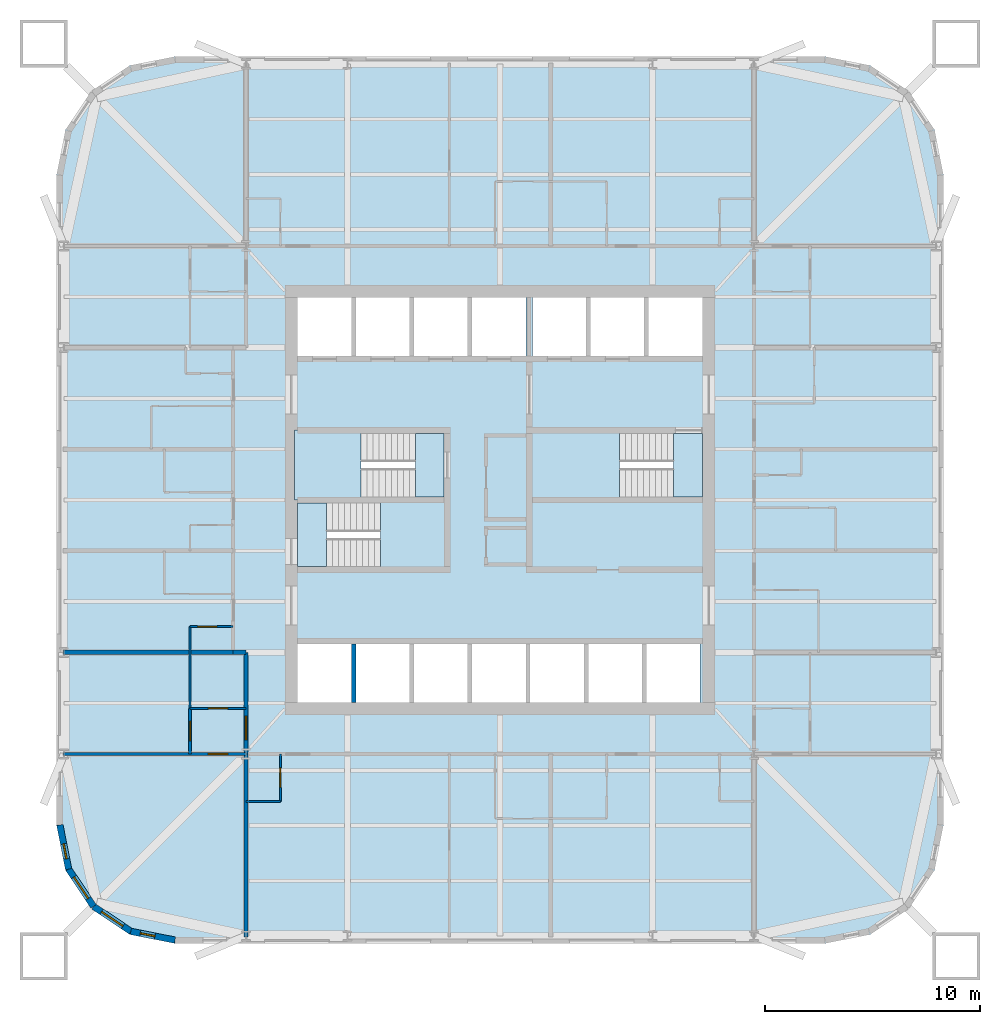
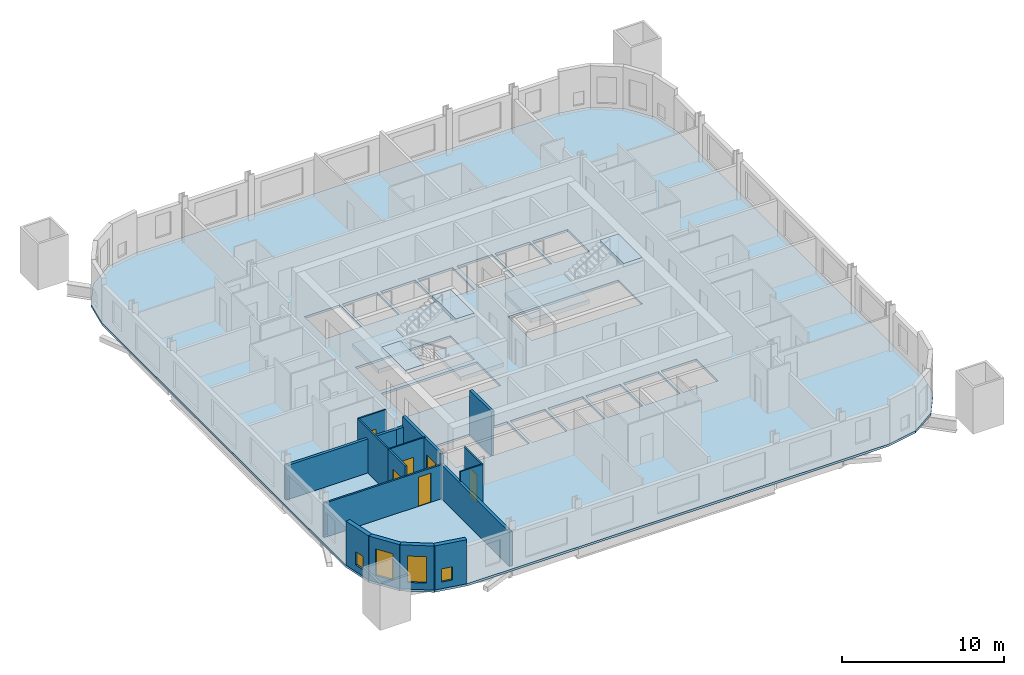
# One storey, part 2 of 9: 16 walls, 7 slabs, 6 doors, 4 windows, 10 openings, 3 elements without a shape of their own.
"""IFC4 building model written with IfcOpenShell, lengths in metres."""

from ifc_helpers import new_model, si_unit, direction, frame, frame_2d, origin, place, context, subcontext, project, spatial, polyline, rectangle, outline, extrude, material, layer, layer_set, type_object, element, fill, aggregate, save


model = new_model("IFC4")

# Units and contexts
model_context = context("Model", 3, precision=1e-05, world=origin(), true_north=direction((0.0, 1.0)))
body_context = subcontext(model_context, "Body", "Model", "MODEL_VIEW")
ifc_project = project(units=[si_unit("LENGTHUNIT", "METRE"), si_unit("AREAUNIT", "SQUARE_METRE"), si_unit("VOLUMEUNIT", "CUBIC_METRE"), si_unit("PLANEANGLEUNIT", "RADIAN"), si_unit("MASSUNIT", "GRAM", prefix="KILO")], contexts=[model_context])

# Site, building, storey
site_placement = place(None, origin())
site = spatial("IfcSite", under=ifc_project, at=site_placement, CompositionType="ELEMENT")
building_placement = place(site_placement, origin())
building = spatial("IfcBuilding", under=site, at=building_placement, Name="Turquesa Mirador Hotel Tower", CompositionType="ELEMENT")
storey_placement = place(building_placement, frame((0.0, 0.0, 145.89990234375)))
storey = spatial("IfcBuildingStorey", under=building, at=storey_placement, Name="L39", CompositionType="ELEMENT", Elevation=145.89990234375)

# Slab
ifc_material_1 = material(Name="Concrete C28/35", Category="concrete")
ifc_layer_1 = layer(ifc_material_1, 0.169921875)
ifc_layer_set_1 = layer_set([ifc_layer_1], Name="COMPOSITE FLOOR SLAB 170")
slab_type_1 = type_object("IfcSlabType", Name="COMPOSITE FLOOR SLAB 170", PredefinedType="FLOOR", material=ifc_layer_set_1)
slab_1_placement = place(storey_placement, frame((0.0, 0.0, -0.169921875)))
element("IfcSlab", 1, at=slab_1_placement, inside=storey, type_object=slab_type_1, Name="Floor slab L39", PredefinedType="FLOOR", context=body_context, shape_type="SweptSolid", body=[
    extrude(outline(polyline([(70.10009765625, 24.39990234375), (72.204833984375, 24.818603515625), (73.989013671875, 26.010986328125), (75.181396484375, 27.795166015625), (75.60009765625, 29.89990234375), (75.60009765625, 60.10009765625), (75.181396484375, 62.204833984375), (73.989013671875, 63.989013671875), (72.204833984375, 65.181396484375), (70.10009765625, 65.60009765625), (39.89990234375, 65.60009765625), (37.795166015625, 65.181396484375), (36.010986328125, 63.989013671875), (34.818603515625, 62.204833984375), (34.39990234375, 60.10009765625), (34.39990234375, 29.89990234375), (34.818603515625, 27.795166015625), (36.010986328125, 26.010986328125), (37.795166015625, 24.818603515625), (39.89990234375, 24.39990234375), (70.10009765625, 24.39990234375)]), holes=[polyline([(45.60009765625, 51.699951171875), (48.10009765625, 51.699951171875), (48.10009765625, 54.39990234375), (45.60009765625, 54.39990234375), (45.60009765625, 51.699951171875)]), polyline([(48.300048828125, 51.699951171875), (50.800048828125, 51.699951171875), (50.800048828125, 54.39990234375), (48.300048828125, 54.39990234375), (48.300048828125, 51.699951171875)]), polyline([(51.0, 51.699951171875), (53.5, 51.699951171875), (53.5, 54.39990234375), (51.0, 54.39990234375), (51.0, 51.699951171875)]), polyline([(53.699951171875, 51.699951171875), (56.199951171875, 51.699951171875), (56.199951171875, 54.39990234375), (53.699951171875, 54.39990234375), (53.699951171875, 51.699951171875)]), polyline([(56.5, 51.699951171875), (59.0, 51.699951171875), (59.0, 54.39990234375), (56.5, 54.39990234375), (56.5, 51.699951171875)]), polyline([(59.199951171875, 51.699951171875), (61.699951171875, 51.699951171875), (61.699951171875, 54.39990234375), (59.199951171875, 54.39990234375), (59.199951171875, 51.699951171875)]), polyline([(45.60009765625, 35.60009765625), (48.10009765625, 35.60009765625), (48.10009765625, 38.300048828125), (45.60009765625, 38.300048828125), (45.60009765625, 35.60009765625)]), polyline([(48.300048828125, 35.60009765625), (50.800048828125, 35.60009765625), (50.800048828125, 38.300048828125), (48.300048828125, 38.300048828125), (48.300048828125, 35.60009765625)]), polyline([(51.0, 35.60009765625), (53.5, 35.60009765625), (53.5, 38.300048828125), (51.0, 38.300048828125), (51.0, 35.60009765625)]), polyline([(53.699951171875, 35.60009765625), (56.199951171875, 35.60009765625), (56.199951171875, 38.300048828125), (53.699951171875, 38.300048828125), (53.699951171875, 35.60009765625)]), polyline([(56.39990234375, 35.60009765625), (58.89990234375, 35.60009765625), (58.89990234375, 38.300048828125), (56.39990234375, 38.300048828125), (56.39990234375, 35.60009765625)]), polyline([(59.10009765625, 35.60009765625), (61.60009765625, 35.60009765625), (61.60009765625, 38.300048828125), (59.10009765625, 38.300048828125), (59.10009765625, 35.60009765625)]), polyline([(61.800048828125, 35.60009765625), (64.300048828125, 35.60009765625), (64.300048828125, 38.300048828125), (61.800048828125, 38.300048828125), (61.800048828125, 35.60009765625)]), polyline([(45.60009765625, 45.14990234375), (52.39990234375, 45.14990234375), (52.39990234375, 48.10009765625), (45.60009765625, 48.10009765625), (45.60009765625, 45.14990234375)]), polyline([(45.60009765625, 41.89990234375), (52.39990234375, 41.89990234375), (52.39990234375, 44.85009765625), (45.60009765625, 44.85009765625), (45.60009765625, 41.89990234375)]), polyline([(56.5, 45.14990234375), (64.39990234375, 45.14990234375), (64.39990234375, 48.10009765625), (56.5, 48.10009765625), (56.5, 45.14990234375)]), polyline([(61.89990234375, 51.699951171875), (64.39990234375, 51.699951171875), (64.39990234375, 54.39990234375), (61.89990234375, 54.39990234375), (61.89990234375, 51.699951171875)])]), origin(), (0.0, 0.0, 1.0), 0.169921875),
])

# Stair, slabs
ifc_material_2 = material(Name="Concrete C35/45", Category="concrete")
stair_type = type_object("IfcStairType", Name="ESCAPE STAIR CORE", PredefinedType="HALF_TURN_STAIR", material=ifc_material_2)
stair_1_placement = place(storey_placement, origin())
stair_1 = element("IfcStair", 2, at=stair_1_placement, inside=storey, type_object=stair_type, Name="Stair ST1 L39 to L40", PredefinedType="HALF_TURN_STAIR")
ifc_material_3 = material(Name="Concrete C35/45", Category="concrete")
ifc_layer_2 = layer(ifc_material_3, 0.300048828125)
ifc_layer_set_2 = layer_set([ifc_layer_2], Name="STAIR LANDING 300")
slab_type_2 = type_object("IfcSlabType", Name="STAIR LANDING 300", PredefinedType="LANDING", material=ifc_layer_set_2)
slab_2_placement = place(storey_placement, frame((0.0, 0.0, 1.4501953125)))
slab_2 = element("IfcSlab", 3, at=slab_2_placement, type_object=slab_type_2, Name="ST1 landing 1", PredefinedType="LANDING", context=body_context, shape_type="SweptSolid", body=[
    extrude(outline(polyline([(45.449951171875, 45.0), (48.550048828125, 45.0), (48.550048828125, 48.25), (45.449951171875, 48.25), (45.449951171875, 45.0)])), origin(), (0.0, 0.0, 1.0), 0.2998046875),
])
slab_3_placement = place(storey_placement, frame((0.0, 0.0, 3.2001953125)))
slab_3 = element("IfcSlab", 4, at=slab_3_placement, type_object=slab_type_2, Name="ST1 landing 2", PredefinedType="LANDING", context=body_context, shape_type="SweptSolid", body=[
    extrude(outline(polyline([(51.070068359375, 45.14990234375), (52.39990234375, 45.14990234375), (52.39990234375, 48.10009765625), (51.070068359375, 48.10009765625), (51.070068359375, 45.14990234375)])), origin(), (0.0, 0.0, 1.0), 0.2998046875),
])
aggregate(stair_1, [slab_2, slab_3])

stair_2_placement = place(storey_placement, origin())
stair_2 = element("IfcStair", 5, at=stair_2_placement, inside=storey, type_object=stair_type, Name="Stair ST2 L39 to L40", PredefinedType="HALF_TURN_STAIR")
slab_4_placement = place(storey_placement, frame((0.0, 0.0, 1.4501953125)))
slab_4 = element("IfcSlab", 6, at=slab_4_placement, type_object=slab_type_2, Name="ST2 landing 1", PredefinedType="LANDING", context=body_context, shape_type="SweptSolid", body=[
    extrude(outline(polyline([(52.550048828125, 45.0), (49.449951171875, 45.0), (49.449951171875, 41.75), (52.550048828125, 41.75), (52.550048828125, 45.0)])), origin(), (0.0, 0.0, 1.0), 0.2998046875),
])
slab_5_placement = place(storey_placement, frame((0.0, 0.0, 3.2001953125)))
slab_5 = element("IfcSlab", 7, at=slab_5_placement, type_object=slab_type_2, Name="ST2 landing 2", PredefinedType="LANDING", context=body_context, shape_type="SweptSolid", body=[
    extrude(outline(polyline([(46.929931640625, 44.85009765625), (45.60009765625, 44.85009765625), (45.60009765625, 41.89990234375), (46.929931640625, 41.89990234375), (46.929931640625, 44.85009765625)])), origin(), (0.0, 0.0, 1.0), 0.2998046875),
])
aggregate(stair_2, [slab_4, slab_5])

stair_3_placement = place(storey_placement, origin())
stair_3 = element("IfcStair", 8, at=stair_3_placement, inside=storey, type_object=stair_type, Name="Stair ST3 L39 to L40", PredefinedType="HALF_TURN_STAIR")
slab_6_placement = place(storey_placement, frame((0.0, 0.0, 1.4501953125)))
slab_6 = element("IfcSlab", 9, at=slab_6_placement, type_object=slab_type_2, Name="ST3 landing 1", PredefinedType="LANDING", context=body_context, shape_type="SweptSolid", body=[
    extrude(outline(polyline([(56.35009765625, 45.0), (60.550048828125, 45.0), (60.550048828125, 48.25), (56.35009765625, 48.25), (56.35009765625, 45.0)])), origin(), (0.0, 0.0, 1.0), 0.2998046875),
])
slab_7_placement = place(storey_placement, frame((0.0, 0.0, 3.2001953125)))
slab_7 = element("IfcSlab", 10, at=slab_7_placement, type_object=slab_type_2, Name="ST3 landing 2", PredefinedType="LANDING", context=body_context, shape_type="SweptSolid", body=[
    extrude(outline(polyline([(63.070068359375, 45.14990234375), (64.39990234375, 45.14990234375), (64.39990234375, 48.10009765625), (63.070068359375, 48.10009765625), (63.070068359375, 45.14990234375)])), origin(), (0.0, 0.0, 1.0), 0.2998046875),
])
aggregate(stair_3, [slab_6, slab_7])

# Wall
ifc_material_4 = material(Name="Gypsum board on steel studs", Category="steel")
ifc_layer_3 = layer(ifc_material_4, 0.10009765625)
ifc_layer_set_3 = layer_set([ifc_layer_3], Name="BATHROOM WALL 100")
wall_type_1 = type_object("IfcWallType", Name="BATHROOM WALL 100", PredefinedType="PARTITIONING", material=ifc_layer_set_3)
wall_1_placement = place(storey_placement, frame((43.199951171875, 31.0, 0.0), z_axis=(0.0, 0.0, 1.0), x_axis=(1.0, 0.0, 0.0)))
element("IfcWall", 11, at=wall_1_placement, inside=storey, type_object=wall_type_1, Name="Partition L39 006", PredefinedType="PARTITIONING", context=body_context, shape_type="SweptSolid", body=[
    extrude(rectangle(XDim=1.60009765625, YDim=0.10009765625, at=frame_2d((0.800048828125, 0.0))), origin(), (0.0, 0.0, 1.0), 3.330078125),
])

# Wall, opening, door
wall_2_placement = place(storey_placement, frame((40.60009765625, 39.1201171875, 0.0), z_axis=(0.0, 0.0, 1.0), x_axis=(1.0, 0.0, 0.0)))
wall_2 = element("IfcWall", 12, at=wall_2_placement, inside=storey, type_object=wall_type_1, Name="Partition L39 013", PredefinedType="PARTITIONING", context=body_context, shape_type="SweptSolid", body=[
    extrude(rectangle(XDim=2.0, YDim=0.10009765625, at=frame_2d((1.0, 0.0))), origin(), (0.0, 0.0, 1.0), 3.330078125),
])
opening_1_placement = place(wall_2_placement, frame((0.35009765625, 0.0, 0.0)))
opening_1 = element("IfcOpeningElement", 13, at=opening_1_placement, cuts=wall_2, Name="Opening D06", PredefinedType="OPENING", context=body_context, shape_type="SweptSolid", body=[
    extrude(rectangle(XDim=0.89990234375, YDim=2.10009765625, at=frame_2d((0.449951171875, 1.050048828125))), frame((0.0, 0.06005859375, 0.0), z_axis=(0.0, -1.0, 0.0), x_axis=(1.0, 0.0, 0.0)), (0.0, 0.0, 1.0), 0.1201171875),
])
ifc_material_5 = material(Name="Laminate door", Category="wood")
door_type_1 = type_object("IfcDoorType", Name="DOOR 900X2100 WC", OperationType="SINGLE_SWING_LEFT", PredefinedType="DOOR", material=ifc_material_5)
door_1_placement = place(opening_1_placement, origin())
door_1 = element("IfcDoor", 14, at=door_1_placement, inside=storey, type_object=door_type_1, Name="Door 3908W", OperationType="SINGLE_SWING_LEFT", OverallHeight=2.10009765625, OverallWidth=0.89990234375, PredefinedType="DOOR", context=body_context, shape_type="SweptSolid", body=[
    extrude(rectangle(XDim=0.89990234375, YDim=2.10009765625, at=frame_2d((0.449951171875, 1.050048828125))), frame((0.0, 0.02490234375, 0.0), z_axis=(0.0, -1.0, 0.0), x_axis=(1.0, 0.0, 0.0)), (0.0, 0.0, 1.0), 0.050048828125),
])
fill(opening_1, door_1)

wall_3_placement = place(storey_placement, frame((40.60009765625, 35.320068359375, 0.0), z_axis=(0.0, 0.0, 1.0), x_axis=(1.0, 0.0, 0.0)))
wall_3 = element("IfcWall", 15, at=wall_3_placement, inside=storey, type_object=wall_type_1, Name="Partition L39 017", PredefinedType="PARTITIONING", context=body_context, shape_type="SweptSolid", body=[
    extrude(rectangle(XDim=2.599853515625, YDim=0.10009765625, at=frame_2d((1.2998046875, 0.0))), origin(), (0.0, 0.0, 1.0), 3.330078125),
])
opening_2_placement = place(wall_3_placement, frame((0.85009765625, 0.0, 0.0)))
opening_2 = element("IfcOpeningElement", 16, at=opening_2_placement, cuts=wall_3, Name="Opening D02", PredefinedType="OPENING", context=body_context, shape_type="SweptSolid", body=[
    extrude(rectangle(XDim=0.89990234375, YDim=2.10009765625, at=frame_2d((0.449951171875, 1.050048828125))), frame((0.0, 0.06005859375, 0.0), z_axis=(0.0, -1.0, 0.0), x_axis=(1.0, 0.0, 0.0)), (0.0, 0.0, 1.0), 0.1201171875),
])
ifc_material_6 = material(Name="Timber veneered door", Category="wood")
door_type_2 = type_object("IfcDoorType", Name="DOOR 900X2100 EN-SUITE", OperationType="SINGLE_SWING_RIGHT", PredefinedType="DOOR", material=ifc_material_6)
door_2_placement = place(opening_2_placement, origin())
door_2 = element("IfcDoor", 17, at=door_2_placement, inside=storey, type_object=door_type_2, Name="Door 3913B", OperationType="SINGLE_SWING_RIGHT", OverallHeight=2.10009765625, OverallWidth=0.89990234375, PredefinedType="DOOR", context=body_context, shape_type="SweptSolid", body=[
    extrude(rectangle(XDim=0.89990234375, YDim=2.10009765625, at=frame_2d((0.449951171875, 1.050048828125))), frame((0.0, 0.02490234375, 0.0), z_axis=(0.0, -1.0, 0.0), x_axis=(1.0, 0.0, 0.0)), (0.0, 0.0, 1.0), 0.050048828125),
])
fill(opening_2, door_2)

wall_4_placement = place(storey_placement, frame((44.800048828125, 31.0, 0.0), z_axis=(0.0, 0.0, 1.0), x_axis=(0.0, 1.0, 0.0)))
wall_4 = element("IfcWall", 18, at=wall_4_placement, inside=storey, type_object=wall_type_1, Name="Partition L39 041", PredefinedType="PARTITIONING", context=body_context, shape_type="SweptSolid", body=[
    extrude(rectangle(XDim=2.199951171875, YDim=0.10009765625, at=frame_2d((1.10009765625, 0.0))), origin(), (0.0, 0.0, 1.0), 3.330078125),
])
opening_3_placement = place(wall_4_placement, frame((0.64990234375, 0.0, 0.0)))
opening_3 = element("IfcOpeningElement", 19, at=opening_3_placement, cuts=wall_4, Name="Opening D06", PredefinedType="OPENING", context=body_context, shape_type="SweptSolid", body=[
    extrude(rectangle(XDim=0.89990234375, YDim=2.10009765625, at=frame_2d((0.449951171875, 1.050048828125))), frame((0.0, 0.06005859375, 0.0), z_axis=(0.0, -1.0, 0.0), x_axis=(1.0, 0.0, 0.0)), (0.0, 0.0, 1.0), 0.1201171875),
])
door_3_placement = place(opening_3_placement, origin())
door_3 = element("IfcDoor", 20, at=door_3_placement, inside=storey, type_object=door_type_1, Name="Door 3903W", OperationType="SINGLE_SWING_LEFT", OverallHeight=2.10009765625, OverallWidth=0.89990234375, PredefinedType="DOOR", context=body_context, shape_type="SweptSolid", body=[
    extrude(rectangle(XDim=0.89990234375, YDim=2.10009765625, at=frame_2d((0.449951171875, 1.050048828125))), frame((0.0, 0.02490234375, 0.0), z_axis=(0.0, -1.0, 0.0), x_axis=(1.0, 0.0, 0.0)), (0.0, 0.0, 1.0), 0.050048828125),
])
fill(opening_3, door_3)

# Walls
wall_5_placement = place(storey_placement, frame((40.60009765625, 35.320068359375, 0.0), z_axis=(0.0, 0.0, 1.0), x_axis=(0.0, 1.0, 0.0)))
element("IfcWall", 21, at=wall_5_placement, inside=storey, type_object=wall_type_1, Name="Partition L39 048", PredefinedType="PARTITIONING", context=body_context, shape_type="SweptSolid", body=[
    extrude(rectangle(XDim=3.800048828125, YDim=0.10009765625, at=frame_2d((1.89990234375, 0.0))), origin(), (0.0, 0.0, 1.0), 3.330078125),
])
ifc_material_7 = material(Name="Fire-rated gypsum board on steel studs", Category="steel")
ifc_layer_4 = layer(ifc_material_7, 0.199951171875)
ifc_layer_set_4 = layer_set([ifc_layer_4], Name="CORRIDOR WALL 200")
wall_type_2 = type_object("IfcWallType", Name="CORRIDOR WALL 200", PredefinedType="PARTITIONING", material=ifc_layer_set_4)
wall_6_placement = place(storey_placement, frame((42.60009765625, 37.919921875, 0.0), z_axis=(0.0, 0.0, 1.0), x_axis=(1.0, 0.0, 0.0)))
element("IfcWall", 22, at=wall_6_placement, inside=storey, type_object=wall_type_2, Name="Partition L39 014", PredefinedType="PARTITIONING", context=body_context, shape_type="SweptSolid", body=[
    extrude(rectangle(XDim=0.599853515625, YDim=0.199951171875, at=frame_2d((0.2998046875, 0.0))), origin(), (0.0, 0.0, 1.0), 2.5732421875),
])

# Wall, opening, door
wall_7_placement = place(storey_placement, frame((43.199951171875, 33.199951171875, 0.0), z_axis=(0.0, 0.0, 1.0), x_axis=(0.0, 1.0, 0.0)))
wall_7 = element("IfcWall", 23, at=wall_7_placement, inside=storey, type_object=wall_type_2, Name="Partition L39 043", PredefinedType="PARTITIONING", context=body_context, shape_type="SweptSolid", body=[
    extrude(rectangle(XDim=4.719970703125, YDim=0.199951171875, at=frame_2d((2.35986328125, 0.0))), origin(), (0.0, 0.0, 1.0), 3.330078125),
])
opening_4_placement = place(wall_7_placement, frame((0.659912109375, 0.0, 0.0)))
opening_4 = element("IfcOpeningElement", 24, at=opening_4_placement, cuts=wall_7, Name="Opening D15", PredefinedType="OPENING", context=body_context, shape_type="SweptSolid", body=[
    extrude(rectangle(XDim=1.10009765625, YDim=2.199951171875, at=frame_2d((0.550048828125, 1.10009765625))), frame((0.0, 0.10986328125, 0.0), z_axis=(0.0, -1.0, 0.0), x_axis=(1.0, 0.0, 0.0)), (0.0, 0.0, 1.0), 0.219970703125),
])
ifc_material_8 = material(Name="Timber veneered fire door", Category="wood")
door_type_3 = type_object("IfcDoorType", Name="DOOR 1100X2200 SUITE ENTRY", OperationType="SINGLE_SWING_LEFT", PredefinedType="DOOR", material=ifc_material_8)
door_4_placement = place(opening_4_placement, origin())
door_4 = element("IfcDoor", 25, at=door_4_placement, inside=storey, type_object=door_type_3, Name="Door 3913H", OperationType="SINGLE_SWING_LEFT", OverallHeight=2.199951171875, OverallWidth=1.10009765625, PredefinedType="DOOR", context=body_context, shape_type="SweptSolid", body=[
    extrude(rectangle(XDim=1.10009765625, YDim=2.199951171875, at=frame_2d((0.550048828125, 1.10009765625))), frame((0.0, 0.02490234375, 0.0), z_axis=(0.0, -1.0, 0.0), x_axis=(1.0, 0.0, 0.0)), (0.0, 0.0, 1.0), 0.050048828125),
])
fill(opening_4, door_4)

# Wall, opening, window
ifc_material_9 = material(Name="Limestone cladding on concrete block", Category="masonry")
ifc_layer_5 = layer(ifc_material_9, 0.300048828125)
ifc_layer_set_5 = layer_set([ifc_layer_5], Name="FACADE WALL 300 STONE SCREEN")
wall_type_3 = type_object("IfcWallType", Name="FACADE WALL 300 STONE SCREEN", PredefinedType="SOLIDWALL", material=ifc_layer_set_5)
wall_8_placement = place(storey_placement, frame((34.550048828125, 29.89990234375, 0.0), z_axis=(0.0, 0.0, 1.0), x_axis=(0.195081421501, -0.980787050784, 0.0)))
wall_8 = element("IfcWall", 26, at=wall_8_placement, inside=storey, type_object=wall_type_3, Name="Facade wall L39 15", PredefinedType="SOLIDWALL", context=body_context, shape_type="SweptSolid", body=[
    extrude(rectangle(XDim=2.08740234375, YDim=0.300048828125, at=frame_2d((1.043701171875, 0.0))), origin(), (0.0, 0.0, 1.0), 3.330078125),
])
opening_5_placement = place(wall_8_placement, frame((0.893798828125, 0.0, 0.5)))
opening_5 = element("IfcOpeningElement", 27, at=opening_5_placement, cuts=wall_8, Name="Opening WN15", PredefinedType="OPENING", context=body_context, shape_type="SweptSolid", body=[
    extrude(rectangle(XDim=0.699951171875, YDim=1.0, at=frame_2d((0.35009765625, 0.5))), frame((0.0, 0.159912109375, 0.0), z_axis=(0.0, -1.0, 0.0), x_axis=(1.0, 0.0, 0.0)), (0.0, 0.0, 1.0), 0.320068359375),
])
ifc_material_10 = material(Name="Ceramic-fritted laminated glass", Category="glass")
window_type_1 = type_object("IfcWindowType", Name="FRITTED CORNER WINDOW 700X1000", PartitioningType="DOUBLE_PANEL_HORIZONTAL", PredefinedType="WINDOW", material=ifc_material_10)
window_1_placement = place(opening_5_placement, origin())
window_1 = element("IfcWindow", 28, at=window_1_placement, inside=storey, type_object=window_type_1, Name="Window L39", OverallHeight=1.0, OverallWidth=0.699951171875, PartitioningType="SINGLE_PANEL", PredefinedType="WINDOW", context=body_context, shape_type="SweptSolid", body=[
    extrude(rectangle(XDim=0.699951171875, YDim=1.0, at=frame_2d((0.35009765625, 0.5))), frame((0.0, 0.030029296875, 0.0), z_axis=(0.0, -1.0, 0.0), x_axis=(1.0, 0.0, 0.0)), (0.0, 0.0, 1.0), 0.06005859375),
])
fill(opening_5, window_1)

wall_9_placement = place(storey_placement, frame((34.957275390625, 27.8525390625, 0.0), z_axis=(0.0, 0.0, 1.0), x_axis=(0.555563607591, -0.831474039234, 0.0)))
wall_9 = element("IfcWall", 29, at=wall_9_placement, inside=storey, type_object=wall_type_3, Name="Facade wall L39 16", PredefinedType="SOLIDWALL", context=body_context, shape_type="SweptSolid", body=[
    extrude(rectangle(XDim=2.08740234375, YDim=0.300048828125, at=frame_2d((1.043701171875, 0.0))), origin(), (0.0, 0.0, 1.0), 3.330078125),
])
opening_6_placement = place(wall_9_placement, frame((0.443603515625, 0.0, 0.5)))
opening_6 = element("IfcOpeningElement", 30, at=opening_6_placement, cuts=wall_9, Name="Opening WN4", PredefinedType="OPENING", context=body_context, shape_type="SweptSolid", body=[
    extrude(rectangle(XDim=1.199951171875, YDim=2.0, at=frame_2d((0.60009765625, 1.0))), frame((0.0, 0.159912109375, 0.0), z_axis=(0.0, -1.0, 0.0), x_axis=(1.0, 0.0, 0.0)), (0.0, 0.0, 1.0), 0.320068359375),
])
ifc_material_11 = material(Name="Ceramic-fritted laminated glass", Category="glass")
window_type_2 = type_object("IfcWindowType", Name="FRITTED CORNER WINDOW 1200X2000", PartitioningType="DOUBLE_PANEL_HORIZONTAL", PredefinedType="WINDOW", material=ifc_material_11)
window_2_placement = place(opening_6_placement, origin())
window_2 = element("IfcWindow", 31, at=window_2_placement, inside=storey, type_object=window_type_2, Name="Window L39", OverallHeight=2.0, OverallWidth=1.199951171875, PartitioningType="SINGLE_PANEL", PredefinedType="WINDOW", context=body_context, shape_type="SweptSolid", body=[
    extrude(rectangle(XDim=1.199951171875, YDim=2.0, at=frame_2d((0.60009765625, 1.0))), frame((0.0, 0.030029296875, 0.0), z_axis=(0.0, -1.0, 0.0), x_axis=(1.0, 0.0, 0.0)), (0.0, 0.0, 1.0), 0.06005859375),
])
fill(opening_6, window_2)

wall_10_placement = place(storey_placement, frame((36.116943359375, 26.116943359375, 0.0), z_axis=(0.0, 0.0, 1.0), x_axis=(0.831474039234, -0.555563607591, 0.0)))
wall_10 = element("IfcWall", 32, at=wall_10_placement, inside=storey, type_object=wall_type_3, Name="Facade wall L39 17", PredefinedType="SOLIDWALL", context=body_context, shape_type="SweptSolid", body=[
    extrude(rectangle(XDim=2.08740234375, YDim=0.300048828125, at=frame_2d((1.043701171875, 0.0))), origin(), (0.0, 0.0, 1.0), 3.330078125),
])
opening_7_placement = place(wall_10_placement, frame((0.443603515625, 0.0, 0.5)))
opening_7 = element("IfcOpeningElement", 33, at=opening_7_placement, cuts=wall_10, Name="Opening WN4", PredefinedType="OPENING", context=body_context, shape_type="SweptSolid", body=[
    extrude(rectangle(XDim=1.199951171875, YDim=2.0, at=frame_2d((0.60009765625, 1.0))), frame((0.0, 0.159912109375, 0.0), z_axis=(0.0, -1.0, 0.0), x_axis=(1.0, 0.0, 0.0)), (0.0, 0.0, 1.0), 0.320068359375),
])
window_3_placement = place(opening_7_placement, origin())
window_3 = element("IfcWindow", 34, at=window_3_placement, inside=storey, type_object=window_type_2, Name="Window L39", OverallHeight=2.0, OverallWidth=1.199951171875, PartitioningType="SINGLE_PANEL", PredefinedType="WINDOW", context=body_context, shape_type="SweptSolid", body=[
    extrude(rectangle(XDim=1.199951171875, YDim=2.0, at=frame_2d((0.60009765625, 1.0))), frame((0.0, 0.030029296875, 0.0), z_axis=(0.0, -1.0, 0.0), x_axis=(1.0, 0.0, 0.0)), (0.0, 0.0, 1.0), 0.06005859375),
])
fill(opening_7, window_3)

wall_11_placement = place(storey_placement, frame((37.8525390625, 24.957275390625, 0.0), z_axis=(0.0, 0.0, 1.0), x_axis=(0.980787050784, -0.195081421501, 0.0)))
wall_11 = element("IfcWall", 35, at=wall_11_placement, inside=storey, type_object=wall_type_3, Name="Facade wall L39 18", PredefinedType="SOLIDWALL", context=body_context, shape_type="SweptSolid", body=[
    extrude(rectangle(XDim=2.08740234375, YDim=0.300048828125, at=frame_2d((1.043701171875, 0.0))), origin(), (0.0, 0.0, 1.0), 3.330078125),
])
opening_8_placement = place(wall_11_placement, frame((0.443603515625, 0.0, 0.5)))
opening_8 = element("IfcOpeningElement", 36, at=opening_8_placement, cuts=wall_11, Name="Opening WN15", PredefinedType="OPENING", context=body_context, shape_type="SweptSolid", body=[
    extrude(rectangle(XDim=0.699951171875, YDim=1.0, at=frame_2d((0.35009765625, 0.5))), frame((0.0, 0.159912109375, 0.0), z_axis=(0.0, -1.0, 0.0), x_axis=(1.0, 0.0, 0.0)), (0.0, 0.0, 1.0), 0.320068359375),
])
window_4_placement = place(opening_8_placement, origin())
window_4 = element("IfcWindow", 37, at=window_4_placement, inside=storey, type_object=window_type_1, Name="Window L39", OverallHeight=1.0, OverallWidth=0.699951171875, PartitioningType="SINGLE_PANEL", PredefinedType="WINDOW", context=body_context, shape_type="SweptSolid", body=[
    extrude(rectangle(XDim=0.699951171875, YDim=1.0, at=frame_2d((0.35009765625, 0.5))), frame((0.0, 0.030029296875, 0.0), z_axis=(0.0, -1.0, 0.0), x_axis=(1.0, 0.0, 0.0)), (0.0, 0.0, 1.0), 0.06005859375),
])
fill(opening_8, window_4)

# Walls
ifc_material_12 = material(Name="Fire-rated gypsum shaft wall on steel studs", Category="steel")
ifc_layer_6 = layer(ifc_material_12, 0.199951171875)
ifc_layer_set_6 = layer_set([ifc_layer_6], Name="LIFT SHAFT DIVIDER 200")
wall_type_4 = type_object("IfcWallType", Name="LIFT SHAFT DIVIDER 200", PredefinedType="PARTITIONING", material=ifc_layer_set_6)
wall_12_placement = place(storey_placement, frame((48.199951171875, 35.60009765625, 0.0), z_axis=(0.0, 0.0, 1.0), x_axis=(0.0, 1.0, 0.0)))
element("IfcWall", 38, at=wall_12_placement, inside=storey, type_object=wall_type_4, Name="Lift shaft divider", PredefinedType="PARTITIONING", context=body_context, shape_type="SweptSolid", body=[
    extrude(rectangle(XDim=2.699951171875, YDim=0.199951171875, at=frame_2d((1.35009765625, 0.0))), origin(), (0.0, 0.0, 1.0), 3.330078125),
])
ifc_material_13 = material(Name="Fire-rated gypsum board on steel studs", Category="steel")
ifc_layer_7 = layer(ifc_material_13, 0.199951171875)
ifc_layer_set_7 = layer_set([ifc_layer_7], Name="PARTY WALL 200")
wall_type_5 = type_object("IfcWallType", Name="PARTY WALL 200", PredefinedType="PARTITIONING", material=ifc_layer_set_7)
wall_13_placement = place(storey_placement, frame((34.699951171875, 37.919921875, 0.0), z_axis=(0.0, 0.0, 1.0), x_axis=(1.0, 0.0, 0.0)))
element("IfcWall", 39, at=wall_13_placement, inside=storey, type_object=wall_type_5, Name="Partition L39 015", PredefinedType="PARTITIONING", context=body_context, shape_type="SweptSolid", body=[
    extrude(rectangle(XDim=7.900146484375, YDim=0.199951171875, at=frame_2d((3.9501953125, 0.0))), origin(), (0.0, 0.0, 1.0), 2.5732421875),
])
wall_14_placement = place(storey_placement, frame((43.199951171875, 24.699951171875, 0.0), z_axis=(0.0, 0.0, 1.0), x_axis=(0.0, 1.0, 0.0)))
element("IfcWall", 40, at=wall_14_placement, inside=storey, type_object=wall_type_5, Name="Partition L39 045", PredefinedType="PARTITIONING", context=body_context, shape_type="SweptSolid", body=[
    extrude(rectangle(XDim=8.5, YDim=0.199951171875, at=frame_2d((4.25, 0.0))), origin(), (0.0, 0.0, 1.0), 2.5732421875),
])

# Wall, opening, door
ifc_material_14 = material(Name="Acoustic gypsum board on steel studs", Category="steel")
ifc_layer_8 = layer(ifc_material_14, 0.125)
ifc_layer_set_8 = layer_set([ifc_layer_8], Name="SUITE PARTITION 125")
wall_type_6 = type_object("IfcWallType", Name="SUITE PARTITION 125", PredefinedType="PARTITIONING", material=ifc_layer_set_8)
wall_15_placement = place(storey_placement, frame((34.699951171875, 33.199951171875, 0.0), z_axis=(0.0, 0.0, 1.0), x_axis=(1.0, 0.0, 0.0)))
wall_15 = element("IfcWall", 41, at=wall_15_placement, inside=storey, type_object=wall_type_6, Name="Partition L39 004", PredefinedType="PARTITIONING", context=body_context, shape_type="SweptSolid", body=[
    extrude(rectangle(XDim=8.5, YDim=0.125, at=frame_2d((4.25, 0.0))), origin(), (0.0, 0.0, 1.0), 2.5732421875),
])
opening_9_placement = place(wall_15_placement, frame((6.75, 0.0, 0.0)))
opening_9 = element("IfcOpeningElement", 42, at=opening_9_placement, cuts=wall_15, Name="Opening D17", PredefinedType="OPENING", context=body_context, shape_type="SweptSolid", body=[
    extrude(rectangle(XDim=0.89990234375, YDim=2.199951171875, at=frame_2d((0.449951171875, 1.10009765625))), frame((0.0, 0.072509765625, 0.0), z_axis=(0.0, -1.0, 0.0), x_axis=(1.0, 0.0, 0.0)), (0.0, 0.0, 1.0), 0.14501953125),
])
ifc_material_15 = material(Name="Timber veneered door", Category="wood")
door_type_4 = type_object("IfcDoorType", Name="DOOR 900X2200 SUITE INTERNAL", OperationType="SINGLE_SWING_LEFT", PredefinedType="DOOR", material=ifc_material_15)
door_5_placement = place(opening_9_placement, origin())
door_5 = element("IfcDoor", 43, at=door_5_placement, inside=storey, type_object=door_type_4, Name="Door 3913", OperationType="SINGLE_SWING_LEFT", OverallHeight=2.199951171875, OverallWidth=0.89990234375, PredefinedType="DOOR", context=body_context, shape_type="SweptSolid", body=[
    extrude(rectangle(XDim=0.89990234375, YDim=2.199951171875, at=frame_2d((0.449951171875, 1.10009765625))), frame((0.0, 0.02490234375, 0.0), z_axis=(0.0, -1.0, 0.0), x_axis=(1.0, 0.0, 0.0)), (0.0, 0.0, 1.0), 0.050048828125),
])
fill(opening_9, door_5)

wall_16_placement = place(storey_placement, frame((40.60009765625, 33.199951171875, 0.0), z_axis=(0.0, 0.0, 1.0), x_axis=(0.0, 1.0, 0.0)))
wall_16 = element("IfcWall", 44, at=wall_16_placement, inside=storey, type_object=wall_type_6, Name="Partition L39 051", PredefinedType="PARTITIONING", context=body_context, shape_type="SweptSolid", body=[
    extrude(rectangle(XDim=2.1201171875, YDim=0.125, at=frame_2d((1.06005859375, 0.0))), origin(), (0.0, 0.0, 1.0), 3.330078125),
])
opening_10_placement = place(wall_16_placement, frame((0.610107421875, 0.0, 0.0)))
opening_10 = element("IfcOpeningElement", 45, at=opening_10_placement, cuts=wall_16, Name="Opening D17", PredefinedType="OPENING", context=body_context, shape_type="SweptSolid", body=[
    extrude(rectangle(XDim=0.89990234375, YDim=2.199951171875, at=frame_2d((0.449951171875, 1.10009765625))), frame((0.0, 0.072509765625, 0.0), z_axis=(0.0, -1.0, 0.0), x_axis=(1.0, 0.0, 0.0)), (0.0, 0.0, 1.0), 0.14501953125),
])
door_6_placement = place(opening_10_placement, origin())
door_6 = element("IfcDoor", 46, at=door_6_placement, inside=storey, type_object=door_type_4, Name="Door 3913R", OperationType="SINGLE_SWING_LEFT", OverallHeight=2.199951171875, OverallWidth=0.89990234375, PredefinedType="DOOR", context=body_context, shape_type="SweptSolid", body=[
    extrude(rectangle(XDim=0.89990234375, YDim=2.199951171875, at=frame_2d((0.449951171875, 1.10009765625))), frame((0.0, 0.02490234375, 0.0), z_axis=(0.0, -1.0, 0.0), x_axis=(1.0, 0.0, 0.0)), (0.0, 0.0, 1.0), 0.050048828125),
])
fill(opening_10, door_6)

save(model, "model.ifc")
